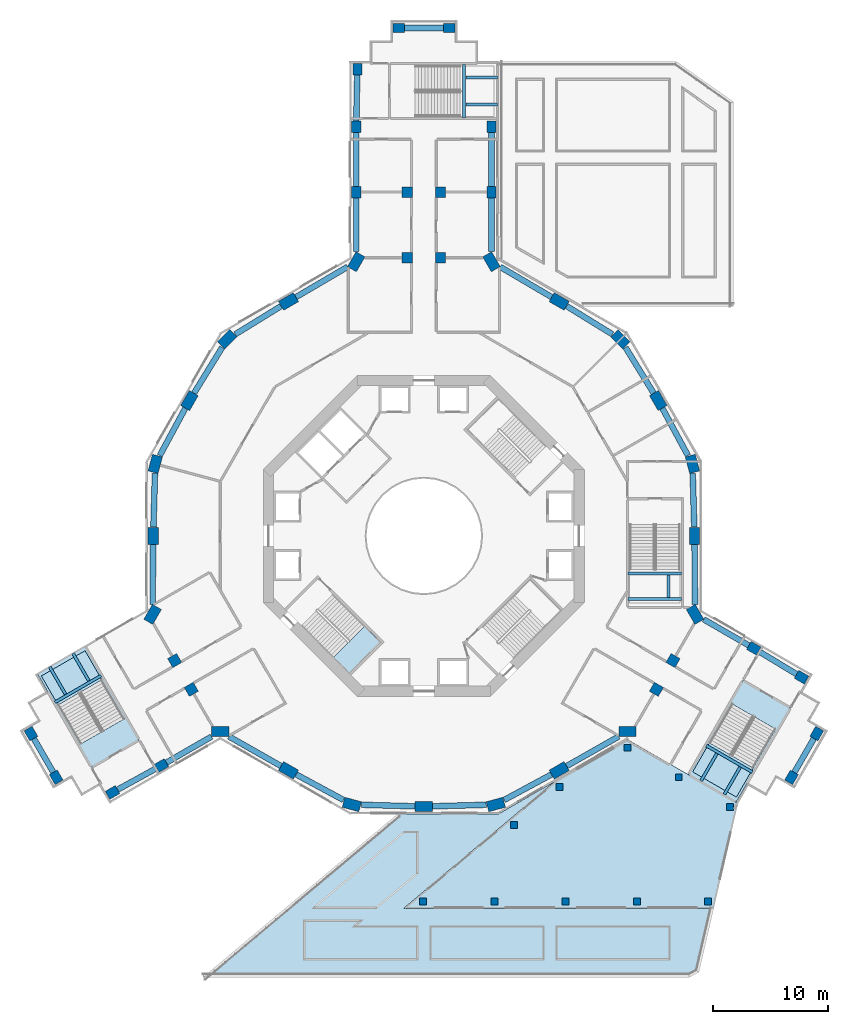
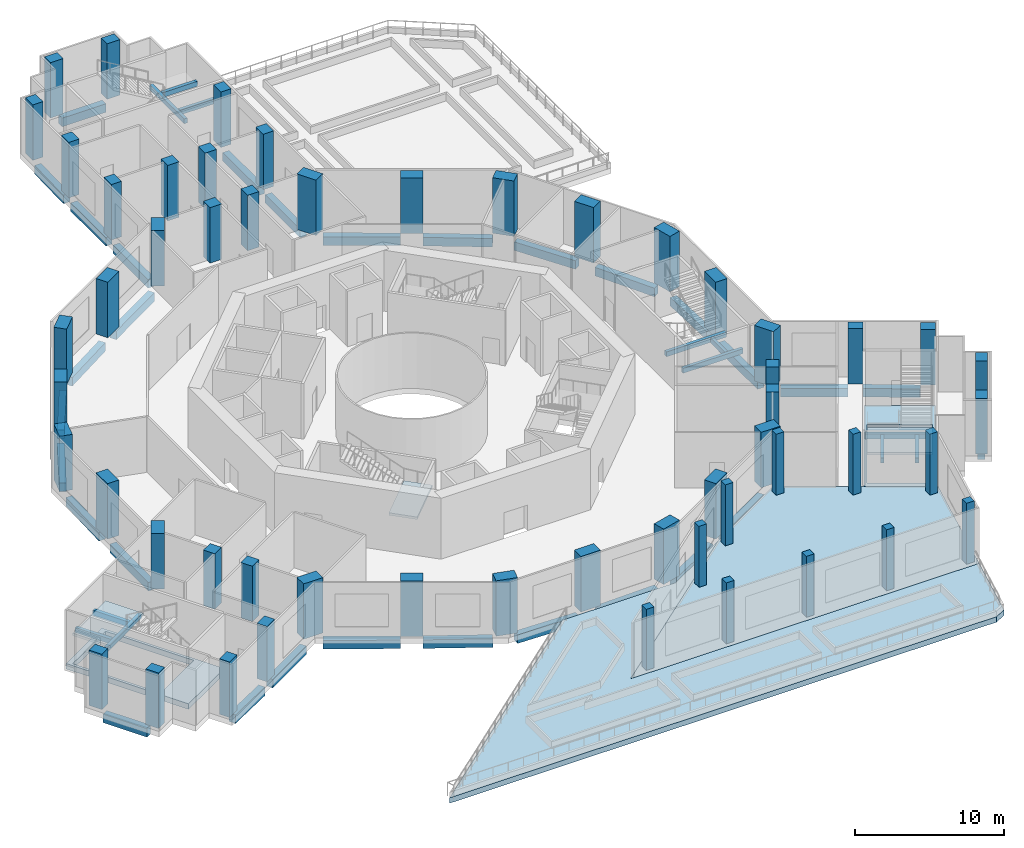
# One storey, part 1 of 24: 54 columns, 42 beams, 7 slabs, 3 elements without a shape of their own.
"""IFC4 building model written with IfcOpenShell, lengths in metres."""

from ifc_helpers import new_model, si_unit, direction, frame, origin, origin_2d, place, context, subcontext, project, spatial, polyline, rectangle, outline, extrude, material, layer, layer_set, material_profile, profile_set, type_object, element, aggregate, save


model = new_model("IFC4")

# Units and contexts
model_context = context("Model", 3, precision=1e-05, world=origin(), true_north=direction((0.0, 1.0)))
body_context = subcontext(model_context, "Body", "Model", "MODEL_VIEW")
ifc_project = project(units=[si_unit("LENGTHUNIT", "METRE"), si_unit("AREAUNIT", "SQUARE_METRE"), si_unit("VOLUMEUNIT", "CUBIC_METRE"), si_unit("PLANEANGLEUNIT", "RADIAN"), si_unit("MASSUNIT", "GRAM", prefix="KILO")], contexts=[model_context])

# Site, building, storey
site_placement = place(None, origin())
site = spatial("IfcSite", under=ifc_project, at=site_placement, CompositionType="ELEMENT")
building_placement = place(site_placement, origin())
building = spatial("IfcBuilding", under=site, at=building_placement, Name="Verdalira Terraces Hotel", CompositionType="ELEMENT")
storey_placement = place(building_placement, frame((0.0, 0.0, 14.0)))
storey = spatial("IfcBuildingStorey", under=building, at=storey_placement, Name="L02", CompositionType="ELEMENT", Elevation=14.0)

# Columns
ifc_material_1 = material(Name="Concrete C80", Category="concrete")
ifc_material_profile_1 = material_profile(ifc_material_1, rectangle(XDim=1.0, YDim=0.800049, at=origin_2d()), Name="RC 1000X800")
ifc_profile_set_1 = profile_set([ifc_material_profile_1], Name="Concrete C80")
column_type_1 = type_object("IfcColumnType", Name="Column RC 1000X800 C80", PredefinedType="COLUMN", material=ifc_profile_set_1)
for number, where, z_axis, x_axis, name in (
    (1, (5.899902, 29.972168, 0.0), (0.0, 0.0, 1.0), (0.0, 1.0, 0.0), "Column C01"),
    (2, (5.899902, 35.686035, 0.0), (0.0, 0.0, 1.0), (0.0, 1.0, 0.0), "Column C02"),
    (3, (-5.800049, 40.699951, 0.0), (0.0, 0.0, 1.0), (0.0, -1.0, 0.0), "Column C03"),
    (4, (-5.899902, 35.686035, 0.0), (0.0, 0.0, 1.0), (0.0, -1.0, 0.0), "Column C04"),
    (5, (-5.899902, 29.972168, 0.0), (0.0, 0.0, 1.0), (0.0, -1.0, 0.0), "Column C05"),
    (6, (-34.268799, -17.244629, 0.0), (0.0, 0.0, 1.0), (0.5, -0.866025404, 0.0), "Column C13"),
    (7, (-32.068848, -21.05542, 0.0), (0.0, 0.0, 1.0), (0.5, -0.866025404, 0.0), "Column C14"),
    (8, (-27.151123, -22.372803, 0.0), (0.0, 0.0, 1.0), (0.866025404, 0.5, 0.0), "Column C15"),
    (9, (-22.882812, -20.02417, 0.0), (0.0, 0.0, 1.0), (0.866025404, 0.5, 0.0), "Column C16"),
    (10, (32.068848, -21.05542, 0.0), (0.0, 0.0, 1.0), (0.5, 0.866025404, 0.0), "Column C24"),
    (11, (34.268799, -17.244629, 0.0), (0.0, 0.0, 1.0), (0.5, 0.866025404, 0.0), "Column C25"),
    (12, (32.951172, -12.327148, 0.0), (0.0, 0.0, 1.0), (-0.866025404, 0.5, 0.0), "Column C26"),
    (13, (28.782715, -9.804932, 0.0), (0.0, 0.0, 1.0), (-0.866025404, 0.5, 0.0), "Column C27"),
    (14, (2.199951, 44.300049, 0.0), (0.0, 0.0, 1.0), (-1.0, 0.0, 0.0), "Column C35"),
    (15, (-2.199951, 44.300049, 0.0), (0.0, 0.0, 1.0), (-1.0, 0.0, 0.0), "Column C36"),
):
    element("IfcColumn", number, at=place(storey_placement, frame(where, z_axis=z_axis, x_axis=x_axis)), inside=storey, type_object=column_type_1, Name=name, PredefinedType="COLUMN", context=body_context, shape_type="SweptSolid", body=[
        extrude(rectangle(XDim=1.0, YDim=0.800049, at=origin_2d()), origin(), (0.0, 0.0, 1.0), 4.550049),
    ])
ifc_material_2 = material(Name="Concrete C80", Category="concrete")
ifc_material_profile_2 = material_profile(ifc_material_2, rectangle(XDim=1.5, YDim=0.899902, at=origin_2d()), Name="RC 1500X900")
ifc_profile_set_2 = profile_set([ifc_material_profile_2], Name="Concrete C80")
column_type_2 = type_object("IfcColumnType", Name="Column RC 1500X900 C80", PredefinedType="COLUMN", material=ifc_profile_set_2)
for number, where, z_axis, x_axis, name in (
    (16, (-5.899902, 23.911865, 0.0), (0.0, 0.0, 1.0), (0.5, 0.866025404, 0.0), "Column C06"),
    (17, (-11.804199, 20.445312, 0.0), (0.0, 0.0, 1.0), (-0.866025404, -0.5, 0.0), "Column C07"),
    (18, (-17.150635, 17.150635, 0.0), (0.0, 0.0, 1.0), (0.707106781, 0.707106781, 0.0), "Column C08"),
    (19, (-20.445312, 11.804199, 0.0), (0.0, 0.0, 1.0), (-0.5, -0.866025404, 0.0), "Column C09"),
    (20, (-23.428223, 6.277588, 0.0), (0.0, 0.0, 1.0), (0.258819045, 0.965925826, 0.0), "Column C10"),
    (21, (-23.608398, 0.0, 0.0), (0.0, 0.0, 1.0), (0.0, -1.0, 0.0), "Column C11"),
    (22, (-23.658203, -6.846436, 0.0), (0.0, 0.0, 1.0), (0.5, 0.866025404, 0.0), "Column C12"),
    (23, (-17.758301, -17.06543, 0.0), (0.0, 0.0, 1.0), (-1.0, 0.0, 0.0), "Column C17"),
    (24, (-11.804199, -20.445312, 0.0), (0.0, 0.0, 1.0), (0.866025404, -0.5, 0.0), "Column C18"),
    (25, (-6.277588, -23.428223, 0.0), (0.0, 0.0, 1.0), (-0.965925826, 0.258819045, 0.0), "Column C19"),
    (26, (0.0, -23.608398, 0.0), (0.0, 0.0, 1.0), (1.0, 0.0, 0.0), "Column C20"),
    (27, (6.277588, -23.428223, 0.0), (0.0, 0.0, 1.0), (-0.965925826, -0.258819045, 0.0), "Column C21"),
    (28, (11.804199, -20.445312, 0.0), (0.0, 0.0, 1.0), (0.866025404, 0.5, 0.0), "Column C22"),
    (29, (17.758301, -17.06543, 0.0), (0.0, 0.0, 1.0), (-1.0, 0.0, 0.0), "Column C23"),
    (30, (23.658203, -6.846436, 0.0), (0.0, 0.0, 1.0), (0.5, -0.866025404, 0.0), "Column C28"),
    (31, (23.608398, 0.0, 0.0), (0.0, 0.0, 1.0), (0.0, 1.0, 0.0), "Column C29"),
    (32, (23.428223, 6.277588, 0.0), (0.0, 0.0, 1.0), (0.258819045, -0.965925826, 0.0), "Column C30"),
    (33, (20.445312, 11.804199, 0.0), (0.0, 0.0, 1.0), (-0.5, 0.866025404, 0.0), "Column C31"),
    (34, (17.150635, 17.150635, 0.0), (0.0, 0.0, 1.0), (0.707106781, -0.707106781, 0.0), "Column C32"),
    (35, (11.804199, 20.445312, 0.0), (0.0, 0.0, 1.0), (-0.866025404, 0.5, 0.0), "Column C33"),
    (36, (5.899902, 23.911865, 0.0), (0.0, 0.0, 1.0), (0.5, -0.866025404, 0.0), "Column C34"),
):
    element("IfcColumn", number, at=place(storey_placement, frame(where, z_axis=z_axis, x_axis=x_axis)), inside=storey, type_object=column_type_2, Name=name, PredefinedType="COLUMN", context=body_context, shape_type="SweptSolid", body=[
        extrude(rectangle(XDim=1.5, YDim=0.899902, at=origin_2d()), origin(), (0.0, 0.0, 1.0), 4.550049),
    ])
ifc_material_3 = material(Name="Concrete C80", Category="concrete")
ifc_material_profile_3 = material_profile(ifc_material_3, rectangle(XDim=0.899902, YDim=0.899902, at=origin_2d()), Name="RC 900X900")
ifc_profile_set_3 = profile_set([ifc_material_profile_3], Name="Concrete C80")
column_type_3 = type_object("IfcColumnType", Name="Column RC 900X900 C80", PredefinedType="COLUMN", material=ifc_profile_set_3)
for number, where, z_axis, x_axis, name in (
    (37, (1.449951, 24.258301, 0.0), (0.0, 0.0, 1.0), (0.0, 1.0, 0.0), "Column C37"),
    (38, (-1.449951, 24.258301, 0.0), (0.0, 0.0, 1.0), (0.0, 1.0, 0.0), "Column C38"),
    (39, (1.449951, 29.972168, 0.0), (0.0, 0.0, 1.0), (0.0, 1.0, 0.0), "Column C39"),
    (40, (-1.449951, 29.972168, 0.0), (0.0, 0.0, 1.0), (0.0, 1.0, 0.0), "Column C40"),
    (41, (-21.733398, -10.873291, 0.0), (0.0, 0.0, 1.0), (-0.866025404, -0.5, 0.0), "Column C41"),
    (42, (-20.283203, -13.38501, 0.0), (0.0, 0.0, 1.0), (-0.866025404, -0.5, 0.0), "Column C42"),
    (43, (20.283203, -13.38501, 0.0), (0.0, 0.0, 1.0), (0.866025404, -0.5, 0.0), "Column C43"),
    (44, (21.733398, -10.873291, 0.0), (0.0, 0.0, 1.0), (0.866025404, -0.5, 0.0), "Column C44"),
):
    element("IfcColumn", number, at=place(storey_placement, frame(where, z_axis=z_axis, x_axis=x_axis)), inside=storey, type_object=column_type_3, Name=name, PredefinedType="COLUMN", context=body_context, shape_type="SweptSolid", body=[
        extrude(rectangle(XDim=0.899902, YDim=0.899902, at=origin_2d()), origin(), (0.0, 0.0, 1.0), 4.550049),
    ])
ifc_material_4 = material(Name="Concrete C50", Category="concrete")
ifc_material_profile_4 = material_profile(ifc_material_4, rectangle(XDim=0.600098, YDim=0.600098, at=origin_2d()), Name="RC 600X600")
ifc_profile_set_4 = profile_set([ifc_material_profile_4], Name="Concrete C50")
column_type_4 = type_object("IfcColumnType", Name="Wing column RC 600X600 Concrete C50", PredefinedType="COLUMN", material=ifc_profile_set_4)
for number, where, z_axis, x_axis, name in (
    (45, (-0.068848, -31.879883, 0.0), (0.0, 0.0, 1.0), (0.0, -1.0, 0.0), "Wing column PC01"),
    (46, (6.146729, -31.879883, 0.0), (0.0, 0.0, 1.0), (0.0, -1.0, 0.0), "Wing column PC02"),
    (47, (7.860107, -25.226807, 0.0), (0.0, 0.0, 1.0), (0.0, -1.0, 0.0), "Wing column PC03"),
    (48, (12.362549, -31.879883, 0.0), (0.0, 0.0, 1.0), (0.0, -1.0, 0.0), "Wing column PC04"),
    (49, (11.824707, -21.899902, 0.0), (0.0, 0.0, 1.0), (0.0, -1.0, 0.0), "Wing column PC05"),
    (50, (18.578125, -31.879883, 0.0), (0.0, 0.0, 1.0), (0.0, -1.0, 0.0), "Wing column PC06"),
    (51, (24.793945, -31.879883, 0.0), (0.0, 0.0, 1.0), (0.0, -1.0, 0.0), "Wing column PC07"),
    (52, (17.758301, -18.474121, 0.0), (0.0, 0.0, 1.0), (0.0, -1.0, 0.0), "Wing column PC08"),
    (53, (22.229004, -21.05542, 0.0), (0.0, 0.0, 1.0), (0.0, -1.0, 0.0), "Wing column PC09"),
    (54, (26.699951, -23.636719, 0.0), (0.0, 0.0, 1.0), (0.0, -1.0, 0.0), "Wing column PC10"),
):
    element("IfcColumn", number, at=place(storey_placement, frame(where, z_axis=z_axis, x_axis=x_axis)), inside=storey, type_object=column_type_4, Name=name, PredefinedType="COLUMN", context=body_context, shape_type="SweptSolid", body=[
        extrude(rectangle(XDim=0.600098, YDim=0.600098, at=origin_2d()), origin(), (0.0, 0.0, 1.0), 5.0),
    ])

# Beams
ifc_material_5 = material(Name="Concrete C70", Category="concrete")
ifc_material_profile_5 = material_profile(ifc_material_5, rectangle(XDim=0.5, YDim=0.699951, at=origin_2d()), Name="RC 500X700")
ifc_profile_set_5 = profile_set([ifc_material_profile_5], Name="Concrete C70")
beam_type_1 = type_object("IfcBeamType", Name="Spandrel beam RC 500X700 C70", PredefinedType="SPANDREL", material=ifc_profile_set_5)
beam_1_placement = place(storey_placement, frame((5.899902, 24.786377, -0.800049), z_axis=(0.0, 1.0, 0.0), x_axis=(-1.0, 0.0, 0.0)))
element("IfcBeam", 55, at=beam_1_placement, inside=storey, type_object=beam_type_1, Name="Spandrel beam B01", PredefinedType="SPANDREL", context=body_context, shape_type="SweptSolid", body=[
    extrude(rectangle(XDim=0.5, YDim=0.699951, at=origin_2d()), origin(), (0.0, 0.0, 1.0), 4.685791),
])
beam_2_placement = place(storey_placement, frame((5.899902, 30.472168, -0.800049), z_axis=(0.0, 1.0, 0.0), x_axis=(-1.0, 0.0, 0.0)))
element("IfcBeam", 56, at=beam_2_placement, inside=storey, type_object=beam_type_1, Name="Spandrel beam B02", PredefinedType="SPANDREL", context=body_context, shape_type="SweptSolid", body=[
    extrude(rectangle(XDim=0.5, YDim=0.699951, at=origin_2d()), origin(), (0.0, 0.0, 1.0), 4.713867),
])
beam_3_placement = place(storey_placement, frame((1.699951, 44.300049, -0.800049), z_axis=(-1.0, 0.0, 0.0), x_axis=(0.0, -1.0, 0.0)))
element("IfcBeam", 57, at=beam_3_placement, inside=storey, type_object=beam_type_1, Name="Spandrel beam B03", PredefinedType="SPANDREL", context=body_context, shape_type="SweptSolid", body=[
    extrude(rectangle(XDim=0.5, YDim=0.699951, at=origin_2d()), origin(), (0.0, 0.0, 1.0), 3.399902),
])
beam_4_placement = place(storey_placement, frame((-5.810059, 40.192139, -0.800049), z_axis=(-0.019963048, -0.999800719, 0.0), x_axis=(0.999800719, -0.019963048, 0.0)))
element("IfcBeam", 58, at=beam_4_placement, inside=storey, type_object=beam_type_1, Name="Spandrel beam B04", PredefinedType="SPANDREL", context=body_context, shape_type="SweptSolid", body=[
    extrude(rectangle(XDim=0.5, YDim=0.699951, at=origin_2d()), origin(), (0.0, 0.0, 1.0), 3.999023),
])
beam_5_placement = place(storey_placement, frame((-5.899902, 35.186035, -0.800049), z_axis=(0.0, -1.0, 0.0), x_axis=(1.0, 0.0, 0.0)))
element("IfcBeam", 59, at=beam_5_placement, inside=storey, type_object=beam_type_1, Name="Spandrel beam B05", PredefinedType="SPANDREL", context=body_context, shape_type="SweptSolid", body=[
    extrude(rectangle(XDim=0.5, YDim=0.699951, at=origin_2d()), origin(), (0.0, 0.0, 1.0), 4.713867),
])
beam_6_placement = place(storey_placement, frame((-5.899902, 29.472168, -0.800049), z_axis=(0.0, -1.0, 0.0), x_axis=(1.0, 0.0, 0.0)))
element("IfcBeam", 60, at=beam_6_placement, inside=storey, type_object=beam_type_1, Name="Spandrel beam B06", PredefinedType="SPANDREL", context=body_context, shape_type="SweptSolid", body=[
    extrude(rectangle(XDim=0.5, YDim=0.699951, at=origin_2d()), origin(), (0.0, 0.0, 1.0), 4.685791),
])
beam_7_placement = place(storey_placement, frame((-6.654053, 23.469238, -0.800049), z_axis=(-0.862353622, -0.506306458, 0.0), x_axis=(0.506306458, -0.862353622, 0.0)))
element("IfcBeam", 61, at=beam_7_placement, inside=storey, type_object=beam_type_1, Name="Spandrel beam B07", PredefinedType="SPANDREL", context=body_context, shape_type="SweptSolid", body=[
    extrude(rectangle(XDim=0.5, YDim=0.699951, at=origin_2d()), origin(), (0.0, 0.0, 1.0), 5.21875),
])
for number, where, z_axis, x_axis, name in (
    (62, (-12.453369, 20.04541, -0.800049), (-0.851334227, -0.524623706, 0.0), (0.524623706, -0.851334227, 0.0), "Spandrel beam B08"),
    (63, (-17.588135, 16.440918, -0.800049), (-0.524623706, -0.851334227, 0.0), (0.851334227, -0.524623706, 0.0), "Spandrel beam B09"),
    (64, (-20.807617, 11.133057, -0.800049), (-0.474994751, -0.879988629, 0.0), (0.879988629, -0.474994751, 0.0), "Spandrel beam B10"),
):
    element("IfcBeam", number, at=place(storey_placement, frame(where, z_axis=z_axis, x_axis=x_axis)), inside=storey, type_object=beam_type_1, Name=name, PredefinedType="SPANDREL", context=body_context, shape_type="SweptSolid", body=[
        extrude(rectangle(XDim=0.5, YDim=0.699951, at=origin_2d()), origin(), (0.0, 0.0, 1.0), 4.683838),
    ])
beam_8_placement = place(storey_placement, frame((-23.452148, 5.444336, -0.800049), z_axis=(-0.028666908, -0.99958902, 0.0), x_axis=(0.99958902, -0.028666908, 0.0)))
element("IfcBeam", 65, at=beam_8_placement, inside=storey, type_object=beam_type_1, Name="Spandrel beam B11", PredefinedType="SPANDREL", context=body_context, shape_type="SweptSolid", body=[
    extrude(rectangle(XDim=0.5, YDim=0.699951, at=origin_2d()), origin(), (0.0, 0.0, 1.0), 4.684082),
])
beam_9_placement = place(storey_placement, frame((-23.61377, -0.753174, -0.800049), z_axis=(-0.00729771, -0.999973371, 0.0), x_axis=(0.999973371, -0.00729771, 0.0)))
element("IfcBeam", 66, at=beam_9_placement, inside=storey, type_object=beam_type_1, Name="Spandrel beam B12", PredefinedType="SPANDREL", context=body_context, shape_type="SweptSolid", body=[
    extrude(rectangle(XDim=0.5, YDim=0.699951, at=origin_2d()), origin(), (0.0, 0.0, 1.0), 5.218994),
])
beam_10_placement = place(storey_placement, frame((-34.018799, -17.677734, -0.800049), z_axis=(0.499977295, -0.866038512, 0.0), x_axis=(0.866038512, 0.499977295, 0.0)))
element("IfcBeam", 67, at=beam_10_placement, inside=storey, type_object=beam_type_1, Name="Spandrel beam B13", PredefinedType="SPANDREL", context=body_context, shape_type="SweptSolid", body=[
    extrude(rectangle(XDim=0.5, YDim=0.699951, at=origin_2d()), origin(), (0.0, 0.0, 1.0), 3.400146),
])
beam_11_placement = place(storey_placement, frame((-26.705811, -22.12793, -0.800049), z_axis=(0.876103585, 0.482122918, 0.0), x_axis=(-0.482122918, 0.876103585, 0.0)))
element("IfcBeam", 68, at=beam_11_placement, inside=storey, type_object=beam_type_1, Name="Spandrel beam B14", PredefinedType="SPANDREL", context=body_context, shape_type="SweptSolid", body=[
    extrude(rectangle(XDim=0.5, YDim=0.699951, at=origin_2d()), origin(), (0.0, 0.0, 1.0), 3.855713),
])
beam_12_placement = place(storey_placement, frame((-22.449707, -19.77417, -0.800049), z_axis=(0.866011958, 0.500023288, 0.0), x_axis=(-0.500023288, 0.866011958, 0.0)))
element("IfcBeam", 69, at=beam_12_placement, inside=storey, type_object=beam_type_1, Name="Spandrel beam B15", PredefinedType="SPANDREL", context=body_context, shape_type="SweptSolid", body=[
    extrude(rectangle(XDim=0.5, YDim=0.699951, at=origin_2d()), origin(), (0.0, 0.0, 1.0), 4.542725),
])
beam_13_placement = place(storey_placement, frame((-16.997803, -17.497314, -0.800049), z_axis=(0.869667461, -0.493638034, 0.0), x_axis=(0.493638034, 0.869667461, 0.0)))
element("IfcBeam", 70, at=beam_13_placement, inside=storey, type_object=beam_type_1, Name="Spandrel beam B16", PredefinedType="SPANDREL", context=body_context, shape_type="SweptSolid", body=[
    extrude(rectangle(XDim=0.5, YDim=0.699951, at=origin_2d()), origin(), (0.0, 0.0, 1.0), 5.21875),
])
beam_14_placement = place(storey_placement, frame((-11.133057, -20.807617, -0.800049), z_axis=(0.879988629, -0.474994751, 0.0), x_axis=(0.474994751, 0.879988629, 0.0)))
element("IfcBeam", 71, at=beam_14_placement, inside=storey, type_object=beam_type_1, Name="Spandrel beam B17", PredefinedType="SPANDREL", context=body_context, shape_type="SweptSolid", body=[
    extrude(rectangle(XDim=0.5, YDim=0.699951, at=origin_2d()), origin(), (0.0, 0.0, 1.0), 4.683838),
])
for number, where, z_axis, x_axis, name in (
    (72, (-5.444336, -23.452148, -0.800049), (0.99958902, -0.028666908, 0.0), (0.028666908, 0.99958902, 0.0), "Spandrel beam B18"),
    (73, (0.762207, -23.586426, -0.800049), (0.99958902, 0.028666908, 0.0), (-0.028666908, 0.99958902, 0.0), "Spandrel beam B19"),
):
    element("IfcBeam", number, at=place(storey_placement, frame(where, z_axis=z_axis, x_axis=x_axis)), inside=storey, type_object=beam_type_1, Name=name, PredefinedType="SPANDREL", context=body_context, shape_type="SweptSolid", body=[
        extrude(rectangle(XDim=0.5, YDim=0.699951, at=origin_2d()), origin(), (0.0, 0.0, 1.0), 4.684082),
    ])
beam_15_placement = place(storey_placement, frame((7.01123, -23.032471, -0.800049), z_axis=(0.879988629, 0.474994751, 0.0), x_axis=(-0.474994751, 0.879988629, 0.0)))
element("IfcBeam", 74, at=beam_15_placement, inside=storey, type_object=beam_type_1, Name="Spandrel beam B20", PredefinedType="SPANDREL", context=body_context, shape_type="SweptSolid", body=[
    extrude(rectangle(XDim=0.5, YDim=0.699951, at=origin_2d()), origin(), (0.0, 0.0, 1.0), 4.683838),
])
beam_16_placement = place(storey_placement, frame((12.459229, -20.073486, -0.800049), z_axis=(0.869667461, 0.493638034, 0.0), x_axis=(-0.493638034, 0.869667461, 0.0)))
element("IfcBeam", 75, at=beam_16_placement, inside=storey, type_object=beam_type_1, Name="Spandrel beam B21", PredefinedType="SPANDREL", context=body_context, shape_type="SweptSolid", body=[
    extrude(rectangle(XDim=0.5, YDim=0.699951, at=origin_2d()), origin(), (0.0, 0.0, 1.0), 5.21875),
])
beam_17_placement = place(storey_placement, frame((32.318848, -20.622314, -0.800049), z_axis=(0.499977295, 0.866038512, 0.0), x_axis=(-0.866038512, 0.499977295, 0.0)))
element("IfcBeam", 76, at=beam_17_placement, inside=storey, type_object=beam_type_1, Name="Spandrel beam B22", PredefinedType="SPANDREL", context=body_context, shape_type="SweptSolid", body=[
    extrude(rectangle(XDim=0.5, YDim=0.699951, at=origin_2d()), origin(), (0.0, 0.0, 1.0), 3.400146),
])
beam_18_placement = place(storey_placement, frame((32.516357, -12.063965, -0.800049), z_axis=(-0.855593073, 0.517649006, 0.0), x_axis=(-0.517649006, -0.855593073, 0.0)))
element("IfcBeam", 77, at=beam_18_placement, inside=storey, type_object=beam_type_1, Name="Spandrel beam B23", PredefinedType="SPANDREL", context=body_context, shape_type="SweptSolid", body=[
    extrude(rectangle(XDim=0.5, YDim=0.699951, at=origin_2d()), origin(), (0.0, 0.0, 1.0), 3.855713),
])
beam_19_placement = place(storey_placement, frame((28.349854, -9.554932, -0.800049), z_axis=(-0.86603523, 0.49998298, 0.0), x_axis=(-0.49998298, -0.86603523, 0.0)))
element("IfcBeam", 78, at=beam_19_placement, inside=storey, type_object=beam_type_1, Name="Spandrel beam B24", PredefinedType="SPANDREL", context=body_context, shape_type="SweptSolid", body=[
    extrude(rectangle(XDim=0.5, YDim=0.699951, at=origin_2d()), origin(), (0.0, 0.0, 1.0), 4.542725),
])
beam_20_placement = place(storey_placement, frame((23.651855, -5.971924, -0.800049), z_axis=(-0.00729771, 0.999973371, 0.0), x_axis=(-0.999973371, -0.00729771, 0.0)))
element("IfcBeam", 79, at=beam_20_placement, inside=storey, type_object=beam_type_1, Name="Spandrel beam B25", PredefinedType="SPANDREL", context=body_context, shape_type="SweptSolid", body=[
    extrude(rectangle(XDim=0.5, YDim=0.699951, at=origin_2d()), origin(), (0.0, 0.0, 1.0), 5.218994),
])
beam_21_placement = place(storey_placement, frame((23.586426, 0.762207, -0.800049), z_axis=(-0.028666908, 0.99958902, 0.0), x_axis=(-0.99958902, -0.028666908, 0.0)))
element("IfcBeam", 80, at=beam_21_placement, inside=storey, type_object=beam_type_1, Name="Spandrel beam B26", PredefinedType="SPANDREL", context=body_context, shape_type="SweptSolid", body=[
    extrude(rectangle(XDim=0.5, YDim=0.699951, at=origin_2d()), origin(), (0.0, 0.0, 1.0), 4.684082),
])
for number, where, z_axis, x_axis, name in (
    (81, (23.032471, 7.01123, -0.800049), (-0.474994751, 0.879988629, 0.0), (-0.879988629, -0.474994751, 0.0), "Spandrel beam B27"),
    (82, (20.04541, 12.453369, -0.800049), (-0.524623706, 0.851334227, 0.0), (-0.851334227, -0.524623706, 0.0), "Spandrel beam B28"),
    (83, (16.440918, 17.588135, -0.800049), (-0.851334227, 0.524623706, 0.0), (-0.524623706, -0.851334227, 0.0), "Spandrel beam B29"),
):
    element("IfcBeam", number, at=place(storey_placement, frame(where, z_axis=z_axis, x_axis=x_axis)), inside=storey, type_object=beam_type_1, Name=name, PredefinedType="SPANDREL", context=body_context, shape_type="SweptSolid", body=[
        extrude(rectangle(XDim=0.5, YDim=0.699951, at=origin_2d()), origin(), (0.0, 0.0, 1.0), 4.683838),
    ])
beam_22_placement = place(storey_placement, frame((11.154541, 20.826904, -0.800049), z_axis=(-0.862353622, 0.506306458, 0.0), x_axis=(-0.506306458, -0.862353622, 0.0)))
element("IfcBeam", 84, at=beam_22_placement, inside=storey, type_object=beam_type_1, Name="Spandrel beam B30", PredefinedType="SPANDREL", context=body_context, shape_type="SweptSolid", body=[
    extrude(rectangle(XDim=0.5, YDim=0.699951, at=origin_2d()), origin(), (0.0, 0.0, 1.0), 5.21875),
])
ifc_material_6 = material(Name="Concrete C40", Category="concrete")
ifc_material_profile_6 = material_profile(ifc_material_6, rectangle(XDim=0.25, YDim=0.399902, at=origin_2d()), Name="RC 250X400")
ifc_profile_set_6 = profile_set([ifc_material_profile_6], Name="Concrete C40")
beam_type_2 = type_object("IfcBeamType", Name="Stair landing beam RC 250X400 Concrete C40", PredefinedType="BEAM", material=ifc_profile_set_6)
beam_23_placement = place(storey_placement, frame((3.518066, 36.469971, 2.100098), z_axis=(0.0, 1.0, 0.0), x_axis=(-1.0, 0.0, 0.0)))
element("IfcBeam", 85, at=beam_23_placement, inside=storey, type_object=beam_type_2, Name="Stair landing beam PS1-L02-1", PredefinedType="BEAM", context=body_context, shape_type="SweptSolid", body=[
    extrude(rectangle(XDim=0.25, YDim=0.399902, at=origin_2d()), origin(), (0.0, 0.0, 1.0), 4.659912),
])
for number, where, z_axis, x_axis, name in (
    (86, (3.662598, 39.975098, 2.100098), (1.0, 0.0, 0.0), (0.0, 1.0, 0.0), "Stair landing beam PS1-L02-2"),
    (87, (3.662598, 37.625, 2.100098), (1.0, 0.0, 0.0), (0.0, 1.0, 0.0), "Stair landing beam PS1-L02-3"),
):
    element("IfcBeam", number, at=place(storey_placement, frame(where, z_axis=z_axis, x_axis=x_axis)), inside=storey, type_object=beam_type_2, Name=name, PredefinedType="BEAM", context=body_context, shape_type="SweptSolid", body=[
        extrude(rectangle(XDim=0.25, YDim=0.399902, at=origin_2d()), origin(), (0.0, 0.0, 1.0), 2.767334),
    ])
beam_24_placement = place(storey_placement, frame((-28.146729, -12.188232, 2.100098), z_axis=(-0.866029426, -0.499993034, 0.0), x_axis=(0.499993034, -0.866029426, 0.0)))
element("IfcBeam", 88, at=beam_24_placement, inside=storey, type_object=beam_type_2, Name="Stair landing beam PS2-L02-1", PredefinedType="BEAM", context=body_context, shape_type="SweptSolid", body=[
    extrude(rectangle(XDim=0.25, YDim=0.399902, at=origin_2d()), origin(), (0.0, 0.0, 1.0), 4.660156),
])
for number, where, z_axis, x_axis, name in (
    (89, (-31.254395, -13.815674, 2.100098), (-0.500010084, 0.866019582, 0.0), (-0.866019582, -0.500010084, 0.0), "Stair landing beam PS2-L02-2"),
    (90, (-29.219238, -12.640625, 2.100098), (-0.500010084, 0.866019582, 0.0), (-0.866019582, -0.500010084, 0.0), "Stair landing beam PS2-L02-3"),
):
    element("IfcBeam", number, at=place(storey_placement, frame(where, z_axis=z_axis, x_axis=x_axis)), inside=storey, type_object=beam_type_2, Name=name, PredefinedType="BEAM", context=body_context, shape_type="SweptSolid", body=[
        extrude(rectangle(XDim=0.25, YDim=0.399902, at=origin_2d()), origin(), (0.0, 0.0, 1.0), 2.767578),
    ])
beam_25_placement = place(storey_placement, frame((24.628906, -18.281738, 2.100098), z_axis=(0.866016328, -0.500015719, 0.0), x_axis=(0.500015719, 0.866016328, 0.0)))
element("IfcBeam", 91, at=beam_25_placement, inside=storey, type_object=beam_type_2, Name="Stair landing beam PS3-L02-1", PredefinedType="BEAM", context=body_context, shape_type="SweptSolid", body=[
    extrude(rectangle(XDim=0.25, YDim=0.399902, at=origin_2d()), origin(), (0.0, 0.0, 1.0), 4.659912),
])
for number, where, z_axis, x_axis, name in (
    (92, (27.592041, -20.15918, 2.100098), (-0.500010084, -0.866019582, 0.0), (0.866019582, -0.500010084, 0.0), "Stair landing beam PS3-L02-2"),
    (93, (25.556885, -18.984375, 2.100098), (-0.500010084, -0.866019582, 0.0), (0.866019582, -0.500010084, 0.0), "Stair landing beam PS3-L02-3"),
):
    element("IfcBeam", number, at=place(storey_placement, frame(where, z_axis=z_axis, x_axis=x_axis)), inside=storey, type_object=beam_type_2, Name=name, PredefinedType="BEAM", context=body_context, shape_type="SweptSolid", body=[
        extrude(rectangle(XDim=0.25, YDim=0.399902, at=origin_2d()), origin(), (0.0, 0.0, 1.0), 2.767578),
    ])
for number, where, z_axis, x_axis, name in (
    (94, (17.828369, -3.268066, 2.100098), (1.0, 0.0, 0.0), (0.0, 1.0, 0.0), "Stair landing beam PS4-L02-1"),
    (95, (17.828369, -5.501465, 2.100098), (1.0, 0.0, 0.0), (0.0, 1.0, 0.0), "Stair landing beam PS4-L02-2"),
):
    element("IfcBeam", number, at=place(storey_placement, frame(where, z_axis=z_axis, x_axis=x_axis)), inside=storey, type_object=beam_type_2, Name=name, PredefinedType="BEAM", context=body_context, shape_type="SweptSolid", body=[
        extrude(rectangle(XDim=0.25, YDim=0.399902, at=origin_2d()), origin(), (0.0, 0.0, 1.0), 4.659912),
    ])
beam_26_placement = place(storey_placement, frame((21.333252, -3.412598, 2.100098), z_axis=(0.0, -1.0, 0.0), x_axis=(1.0, 0.0, 0.0)))
element("IfcBeam", 96, at=beam_26_placement, inside=storey, type_object=beam_type_2, Name="Stair landing beam PS4-L02-3", PredefinedType="BEAM", context=body_context, shape_type="SweptSolid", body=[
    extrude(rectangle(XDim=0.25, YDim=0.399902, at=origin_2d()), origin(), (0.0, 0.0, 1.0), 1.944336),
])

# Stair, slab
ifc_material_7 = material(Name="Concrete C40", Category="concrete")
stair_type_1 = type_object("IfcStairType", Name="Core stair 30 risers 1900 mm wide", PredefinedType="HALF_TURN_STAIR", material=ifc_material_7)
stair_1_placement = place(storey_placement, origin())
stair_1 = element("IfcStair", 97, at=stair_1_placement, inside=storey, type_object=stair_type_1, Name="L02 Exit stair ST2", PredefinedType="HALF_TURN_STAIR")
ifc_material_8 = material(Name="Concrete C40", Category="concrete")
ifc_layer_1 = layer(ifc_material_8, 0.199951171875)
ifc_layer_set_1 = layer_set([ifc_layer_1], Name="Core stair landing 200 mm")
slab_type_1 = type_object("IfcSlabType", Name="Core stair landing 200 mm", PredefinedType="LANDING", material=ifc_layer_set_1)
slab_1_placement = place(storey_placement, frame((0.0, 0.0, 2.300049)))
slab_1 = element("IfcSlab", 98, at=slab_1_placement, type_object=slab_type_1, Name="ST2 landing 1", PredefinedType="LANDING", context=body_context, shape_type="SweptSolid", body=[
    extrude(outline(polyline([(-7.905762, -10.620361), (-6.505371, -12.020752), (-3.747559, -9.263184), (-5.148193, -7.862793), (-7.905762, -10.620361)])), origin(), (0.0, 0.0, 1.0), 0.199951),
])
aggregate(stair_1, [slab_1])

ifc_material_9 = material(Name="Concrete C40", Category="concrete")
stair_type_2 = type_object("IfcStairType", Name="Podium stair 30 risers", PredefinedType="HALF_TURN_STAIR", material=ifc_material_9)
stair_2_placement = place(storey_placement, origin())
stair_2 = element("IfcStair", 99, at=stair_2_placement, inside=storey, type_object=stair_type_2, Name="L02 Exit stair PS2", PredefinedType="HALF_TURN_STAIR")
ifc_material_10 = material(Name="Concrete C40", Category="concrete")
ifc_layer_2 = layer(ifc_material_10, 0.199951171875)
ifc_layer_set_2 = layer_set([ifc_layer_2], Name="Podium stair landing 200 mm")
slab_type_2 = type_object("IfcSlabType", Name="Podium stair landing 200 mm", PredefinedType="LANDING", material=ifc_layer_set_2)
slab_2_placement = place(storey_placement, frame((0.0, 0.0, 2.300049)))
slab_2 = element("IfcSlab", 100, at=slab_2_placement, type_object=slab_type_2, Name="PS2 landing 1", PredefinedType="LANDING", context=body_context, shape_type="SweptSolid", body=[
    extrude(outline(polyline([(-33.362793, -12.216797), (-31.89624, -14.75708), (-28.083008, -12.555664), (-29.549805, -10.015137), (-33.362793, -12.216797)])), origin(), (0.0, 0.0, 1.0), 0.199951),
])
aggregate(stair_2, [slab_2])

stair_3_placement = place(storey_placement, origin())
stair_3 = element("IfcStair", 101, at=stair_3_placement, inside=storey, type_object=stair_type_2, Name="L02 Exit stair PS3", PredefinedType="HALF_TURN_STAIR")
slab_3_placement = place(storey_placement, frame((0.0, 0.0, 2.300049)))
slab_3 = element("IfcSlab", 102, at=slab_3_placement, type_object=slab_type_2, Name="PS3 landing 1", PredefinedType="LANDING", context=body_context, shape_type="SweptSolid", body=[
    extrude(outline(polyline([(27.261475, -22.784912), (28.728271, -20.244385), (24.915039, -18.042725), (23.448242, -20.583252), (27.261475, -22.784912)])), origin(), (0.0, 0.0, 1.0), 0.199951),
])
aggregate(stair_3, [slab_3])

# Slabs
ifc_material_11 = material(Name="Concrete C40", Category="concrete")
ifc_layer_3 = layer(ifc_material_11, 0.449951171875)
ifc_layer_set_3 = layer_set([ifc_layer_3], Name="Stair enclosure floor slab 450 mm")
slab_type_3 = type_object("IfcSlabType", Name="Stair enclosure floor slab 450 mm", PredefinedType="FLOOR", material=ifc_layer_set_3)
slab_4_placement = place(storey_placement, frame((0.0, 0.0, -0.449951)))
element("IfcSlab", 103, at=slab_4_placement, inside=storey, type_object=slab_type_3, Name="Stair PS2 floor slab", PredefinedType="FLOOR", context=body_context, shape_type="SweptSolid", body=[
    extrude(outline(polyline([(-24.827881, -17.797852), (-28.983887, -20.19751), (-33.733643, -11.970703), (-29.577637, -9.571045), (-24.827881, -17.797852)]), holes=[polyline([(-29.934326, -18.144043), (-26.130859, -15.947998), (-29.551758, -10.022705), (-33.355469, -12.21875), (-29.934326, -18.144043)])]), origin(), (0.0, 0.0, 1.0), 0.449951),
])
slab_5_placement = place(storey_placement, frame((0.0, 0.0, -0.449951)))
element("IfcSlab", 104, at=slab_5_placement, inside=storey, type_object=slab_type_3, Name="Stair PS3 floor slab", PredefinedType="FLOOR", context=body_context, shape_type="SweptSolid", body=[
    extrude(outline(polyline([(27.827393, -12.602539), (31.983398, -15.002197), (27.233643, -23.229004), (23.077637, -20.829346), (27.827393, -12.602539)]), holes=[polyline([(30.68042, -16.851807), (26.876709, -14.656006), (23.455811, -20.581299), (27.259521, -22.777344), (30.68042, -16.851807)])]), origin(), (0.0, 0.0, 1.0), 0.449951),
])
ifc_material_12 = material(Name="Concrete C40", Category="concrete")
ifc_layer_4 = layer(ifc_material_12, 0.449951171875)
ifc_layer_set_4 = layer_set([ifc_layer_4], Name="Terrace slab with planting beds 450 mm")
slab_type_4 = type_object("IfcSlabType", Name="Terrace slab with planting beds 450 mm", PredefinedType="ROOF", material=ifc_layer_set_4)
slab_6_placement = place(storey_placement, frame((0.0, 0.0, -0.449951)))
element("IfcSlab", 105, at=slab_6_placement, inside=storey, type_object=slab_type_4, Name="Terrace slab with planting beds", PredefinedType="ROOF", context=body_context, shape_type="SweptSolid", body=[
    extrude(outline(polyline([(11.467773, -21.390137), (-1.772461, -32.5), (25.286865, -32.5), (24.0, -38.065674), (23.162598, -38.5), (-19.280518, -38.5), (-2.307861, -24.258301), (6.5, -24.258301), (11.467773, -21.390137)])), origin(), (0.0, 0.0, 1.0), 0.449951),
])
ifc_material_13 = material(Name="Concrete C40", Category="concrete")
ifc_layer_5 = layer(ifc_material_13, 0.449951171875)
ifc_layer_set_5 = layer_set([ifc_layer_5], Name="Wing floor slab 450 mm")
slab_type_5 = type_object("IfcSlabType", Name="Wing floor slab 450 mm", PredefinedType="FLOOR", material=ifc_layer_set_5)
slab_7_placement = place(storey_placement, frame((0.0, 0.0, -0.449951)))
element("IfcSlab", 106, at=slab_7_placement, inside=storey, type_object=slab_type_5, Name="Wing floor slab", PredefinedType="FLOOR", context=body_context, shape_type="SweptSolid", body=[
    extrude(outline(polyline([(25.286865, -32.5), (-1.772461, -32.5), (11.467773, -21.390137), (17.758301, -17.758301), (27.407227, -23.329102), (25.286865, -32.5)])), origin(), (0.0, 0.0, 1.0), 0.449951),
])

save(model, "model.ifc")
